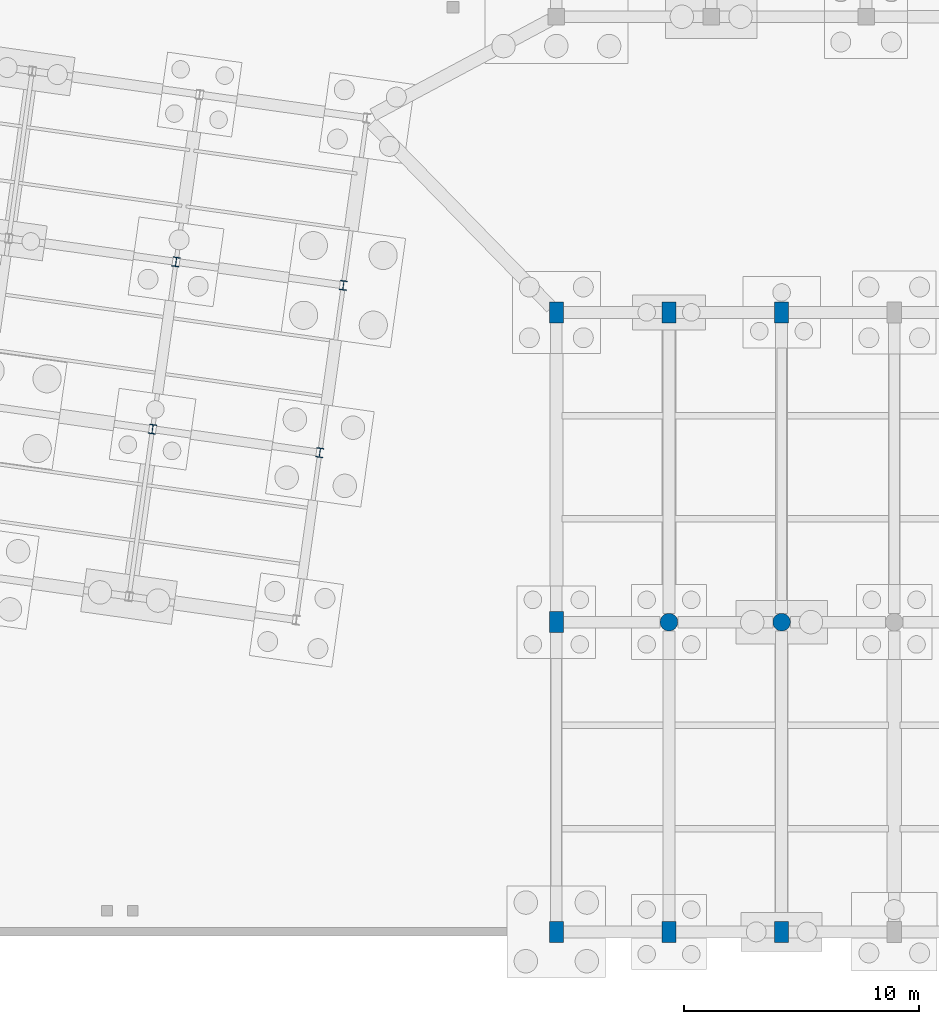
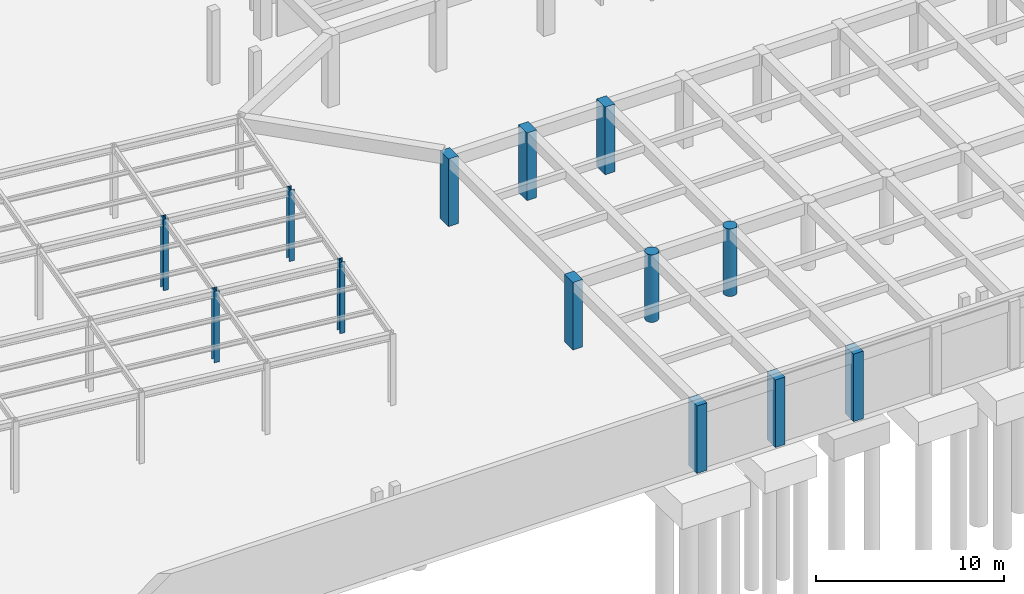
# One storey, part 14 of 34: 13 columns.
"""IFC4 building model written with IfcOpenShell, lengths in metres."""

from ifc_helpers import new_model, si_unit, direction, frame, origin, origin_2d, place, context, subcontext, project, spatial, rectangle, circle, i_section, extrude, material, material_profile, profile_set, type_object, element, save


model = new_model("IFC4")

# Units and contexts
model_context = context("Model", 3, precision=1e-05, world=origin(), true_north=direction((0.0, 1.0)))
body_context = subcontext(model_context, "Body", "Model", "MODEL_VIEW")
ifc_project = project(units=[si_unit("LENGTHUNIT", "METRE"), si_unit("AREAUNIT", "SQUARE_METRE"), si_unit("VOLUMEUNIT", "CUBIC_METRE"), si_unit("PLANEANGLEUNIT", "RADIAN"), si_unit("MASSUNIT", "GRAM", prefix="KILO")], contexts=[model_context])

# Site, building, storey
site_placement = place(None, origin())
site = spatial("IfcSite", under=ifc_project, at=site_placement, CompositionType="ELEMENT")
building_placement = place(site_placement, origin())
building = spatial("IfcBuilding", under=site, at=building_placement, Name="Kharisveld Research Institute", CompositionType="ELEMENT")
storey_placement = place(building_placement, frame((0.0, 0.0, -4.800048828125)))
storey = spatial("IfcBuildingStorey", under=building, at=storey_placement, Name="B1", CompositionType="ELEMENT", Elevation=-4.800048828125)

# Columns
ifc_material_1 = material(Name="Concrete C40/50", Category="concrete")
ifc_material_profile_1 = material_profile(ifc_material_1, rectangle(XDim=0.60009765625, YDim=0.89990234375, at=origin_2d()))
ifc_profile_set_1 = profile_set([ifc_material_profile_1], Name="Concrete C40/50")
column_type_1 = type_object("IfcColumnType", Name="COL_RC_600x900", PredefinedType="COLUMN", material=ifc_profile_set_1)
for number, where, z_axis, x_axis, name in (
    (1, (114.60009765625, 0.199951171875, 0.0), (0.0, 0.0, 1.0), (1.0, 0.0, 0.0), "COL:V5:B1:U0V0"),
    (2, (114.60009765625, 13.39990234375, 0.0), (0.0, 0.0, 1.0), (1.0, 0.0, 0.0), "COL:V5:B1:U0V1"),
    (3, (114.60009765625, 26.60009765625, 0.0), (0.0, 0.0, 1.0), (1.0, 0.0, 0.0), "COL:V5:B1:U0V2"),
    (4, (119.39990234375, 0.199951171875, 0.0), (0.0, 0.0, 1.0), (1.0, 0.0, 0.0), "COL:V5:B1:U1V0"),
    (5, (119.39990234375, 26.60009765625, 0.0), (0.0, 0.0, 1.0), (1.0, 0.0, 0.0), "COL:V5:B1:U1V2"),
    (6, (124.199951171875, 0.199951171875, 0.0), (0.0, 0.0, 1.0), (1.0, 0.0, 0.0), "COL:V5:B1:U2V0"),
    (7, (124.199951171875, 26.60009765625, 0.0), (0.0, 0.0, 1.0), (1.0, 0.0, 0.0), "COL:V5:B1:U2V2"),
):
    element("IfcColumn", number, at=place(storey_placement, frame(where, z_axis=z_axis, x_axis=x_axis)), inside=storey, type_object=column_type_1, Name=name, PredefinedType="COLUMN", context=body_context, shape_type="SweptSolid", body=[
        extrude(rectangle(XDim=0.60009765625, YDim=0.89990234375, at=origin_2d()), origin(), (0.0, 0.0, 1.0), 4.380126953125),
    ])
ifc_material_2 = material(Name="Concrete C40/50", Category="concrete")
ifc_material_profile_2 = material_profile(ifc_material_2, circle(Radius=0.375, at=origin_2d()))
ifc_profile_set_2 = profile_set([ifc_material_profile_2], Name="Concrete C40/50")
column_type_2 = type_object("IfcColumnType", Name="COL_RC_D750", PredefinedType="COLUMN", material=ifc_profile_set_2)
for number, where, z_axis, x_axis, name in (
    (8, (119.39990234375, 13.39990234375, 0.0), (0.0, 0.0, 1.0), (1.0, 0.0, 0.0), "COL:V5:B1:U1V1"),
    (9, (124.199951171875, 13.39990234375, 0.0), (0.0, 0.0, 1.0), (1.0, 0.0, 0.0), "COL:V5:B1:U2V1"),
):
    element("IfcColumn", number, at=place(storey_placement, frame(where, z_axis=z_axis, x_axis=x_axis)), inside=storey, type_object=column_type_2, Name=name, PredefinedType="COLUMN", context=body_context, shape_type="SweptSolid", body=[
        extrude(circle(Radius=0.375, at=origin_2d()), origin(), (0.0, 0.0, 1.0), 4.380126953125),
    ])
ifc_material_3 = material(Name="Steel S355JR", Category="steel")
ifc_material_profile_3 = material_profile(ifc_material_3, i_section(OverallWidth=0.300048828125, OverallDepth=0.39990234375, WebThickness=0.013427734375, FlangeThickness=0.02392578125, at=origin_2d()))
ifc_profile_set_3 = profile_set([ifc_material_profile_3], Name="Steel S355JR")
column_type_3 = type_object("IfcColumnType", Name="COL_ST_HEB400", PredefinedType="COLUMN", material=ifc_profile_set_3)
for number, where, z_axis, x_axis, name in (
    (10, (97.391845703125, 21.623779296875, 0.0), (0.0, 0.0, 1.0), (0.990268068742, -0.13917310096, 0.0), "COL:V4:B1:U3V1"),
    (11, (98.393798828125, 28.753662109375, 0.0), (0.0, 0.0, 1.0), (0.990268068742, -0.13917310096, 0.0), "COL:V4:B1:U3V2"),
    (12, (104.521728515625, 20.621826171875, 0.0), (0.0, 0.0, 1.0), (0.990268068742, -0.13917310096, 0.0), "COL:V4:B1:U4V1"),
    (13, (105.52392578125, 27.751708984375, 0.0), (0.0, 0.0, 1.0), (0.990268068742, -0.13917310096, 0.0), "COL:V4:B1:U4V2"),
):
    element("IfcColumn", number, at=place(storey_placement, frame(where, z_axis=z_axis, x_axis=x_axis)), inside=storey, type_object=column_type_3, Name=name, PredefinedType="COLUMN", context=body_context, shape_type="SweptSolid", body=[
        extrude(i_section(OverallWidth=0.300048828125, OverallDepth=0.39990234375, WebThickness=0.013427734375, FlangeThickness=0.02392578125, at=origin_2d()), origin(), (0.0, 0.0, 1.0), 4.610107421875),
    ])

save(model, "model.ifc")
